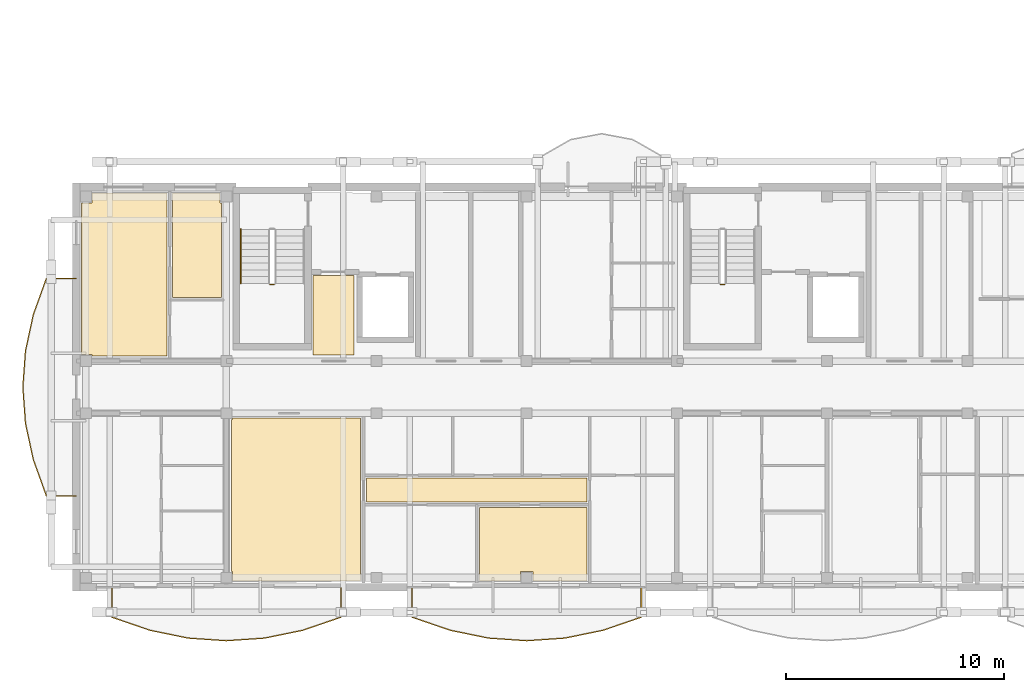
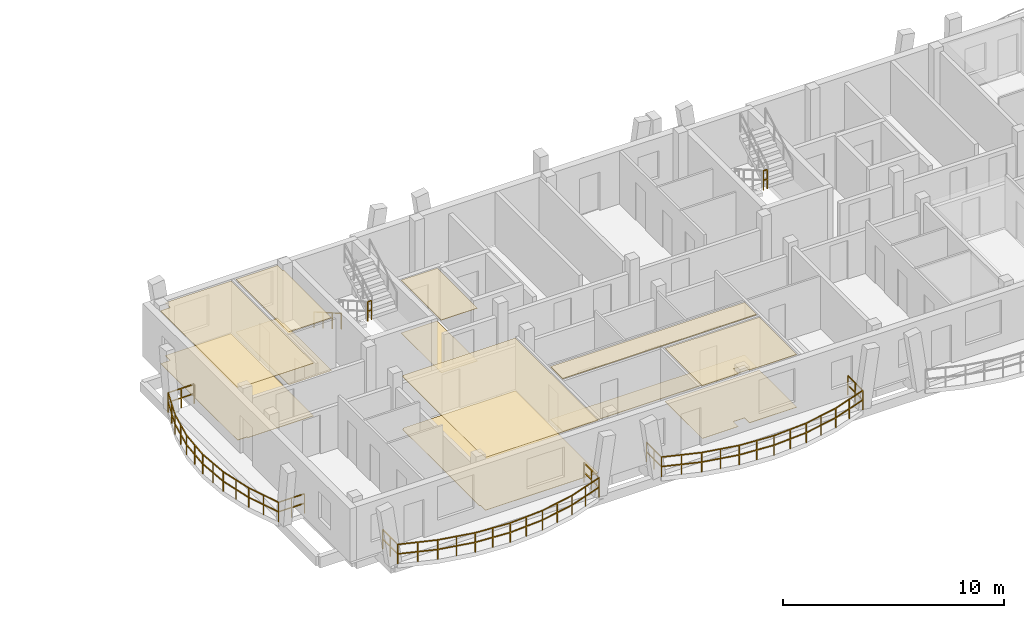
# One storey, part 39 of 52: 12 coverings, 6 railings.
"""IFC4 building model written with IfcOpenShell, lengths in metres."""

from ifc_helpers import new_model, si_unit, direction, frame, origin, origin_2d, place, context, subcontext, project, spatial, polyline, rectangle, outline, extrude, material, layer, layer_set, type_object, element, save


model = new_model("IFC4")

# Units and contexts
model_context = context("Model", 3, precision=1e-05, world=origin(), true_north=direction((0.0, 1.0)))
body_context = subcontext(model_context, "Body", "Model", "MODEL_VIEW")
ifc_project = project(units=[si_unit("LENGTHUNIT", "METRE"), si_unit("AREAUNIT", "SQUARE_METRE"), si_unit("VOLUMEUNIT", "CUBIC_METRE"), si_unit("PLANEANGLEUNIT", "RADIAN"), si_unit("MASSUNIT", "GRAM", prefix="KILO")], contexts=[model_context])

# Site, building, storey
site_placement = place(None, origin())
site = spatial("IfcSite", under=ifc_project, at=site_placement, CompositionType="ELEMENT")
building_placement = place(site_placement, origin())
building = spatial("IfcBuilding", under=site, at=building_placement, Name="Zavelmont Quarter", CompositionType="ELEMENT")
storey_placement = place(building_placement, frame((0.0, 0.0, 14.39990234375)))
storey = spatial("IfcBuildingStorey", under=building, at=storey_placement, Name="L04", CompositionType="ELEMENT", Elevation=14.39990234375)

# Coverings
ifc_material_1 = material(Name="Perforated acoustic gypsum board")
ifc_layer_1 = layer(ifc_material_1, 0.02490234375)
ifc_layer_set_1 = layer_set([ifc_layer_1], Name="Perforated acoustic gypsum board")
covering_type_1 = type_object("IfcCoveringType", Name="CV-CL01", PredefinedType="CEILING", material=ifc_layer_set_1)
covering_1_placement = place(storey_placement, frame((0.0, 0.0, 2.9150390625)))
element("IfcCovering", 1, at=covering_1_placement, inside=storey, type_object=covering_type_1, Name="L04 Lobby Vestibule acoustic ceiling", PredefinedType="CEILING", context=body_context, shape_type="SweptSolid", body=[
    extrude(outline(polyline([(10.8798828125, 14.320068359375), (12.77001953125, 14.320068359375), (12.77001953125, 10.679931640625), (10.8798828125, 10.679931640625), (10.8798828125, 14.320068359375)])), origin(), (0.0, 0.0, 1.0), 0.025146484375),
])
covering_2_placement = place(storey_placement, frame((0.0, 0.0, 2.9150390625)))
element("IfcCovering", 2, at=covering_2_placement, inside=storey, type_object=covering_type_1, Name="L04 Living Dining acoustic ceiling", PredefinedType="CEILING", context=body_context, shape_type="SweptSolid", body=[
    extrude(outline(polyline([(7.1298828125, 7.7099609375), (7.18994140625, 7.7099609375), (7.18994140625, 7.77001953125), (13.070068359375, 7.77001953125), (13.070068359375, 0.280029296875), (7.18994140625, 0.280029296875), (7.18994140625, 0.72998046875), (7.1298828125, 0.72998046875), (7.1298828125, 7.7099609375)])), origin(), (0.0, 0.0, 1.0), 0.025146484375),
])
covering_3_placement = place(storey_placement, frame((0.0, 0.0, 2.9150390625)))
element("IfcCovering", 3, at=covering_3_placement, inside=storey, type_object=covering_type_1, Name="L04 Double Bedroom acoustic ceiling", PredefinedType="CEILING", context=body_context, shape_type="SweptSolid", body=[
    extrude(outline(polyline([(18.530029296875, 3.669921875), (23.469970703125, 3.669921875), (23.469970703125, 0.280029296875), (20.989990234375, 0.280029296875), (20.989990234375, 0.72998046875), (20.409912109375, 0.72998046875), (20.409912109375, 0.280029296875), (18.530029296875, 0.280029296875), (18.530029296875, 3.669921875)])), origin(), (0.0, 0.0, 1.0), 0.025146484375),
])
covering_4_placement = place(storey_placement, frame((0.0, 0.0, 2.9150390625)))
element("IfcCovering", 4, at=covering_4_placement, inside=storey, type_object=covering_type_1, Name="L04 Residents Study Lounge acoustic ceiling", PredefinedType="CEILING", context=body_context, shape_type="SweptSolid", body=[
    extrude(outline(polyline([(0.22998046875, 17.669921875), (0.72998046875, 17.669921875), (0.72998046875, 18.1201171875), (4.169921875, 18.1201171875), (4.169921875, 10.6298828125), (0.72998046875, 10.6298828125), (0.72998046875, 10.68994140625), (0.22998046875, 10.68994140625), (0.22998046875, 17.669921875)])), origin(), (0.0, 0.0, 1.0), 0.025146484375),
])
covering_5_placement = place(storey_placement, frame((0.0, 0.0, 2.9150390625)))
element("IfcCovering", 5, at=covering_5_placement, inside=storey, type_object=covering_type_1, Name="L04 Reading Alcove acoustic ceiling", PredefinedType="CEILING", context=body_context, shape_type="SweptSolid", body=[
    extrude(outline(polyline([(4.429931640625, 18.1201171875), (6.610107421875, 18.1201171875), (6.610107421875, 17.669921875), (6.669921875, 17.669921875), (6.669921875, 13.330078125), (4.429931640625, 13.330078125), (4.429931640625, 18.1201171875)])), origin(), (0.0, 0.0, 1.0), 0.025146484375),
])
ifc_material_2 = material(Name="Slatted European ash acoustic baffle ceiling")
ifc_layer_2 = layer(ifc_material_2, 0.0400390625)
ifc_layer_set_2 = layer_set([ifc_layer_2], Name="Slatted European ash acoustic baffle ceiling")
covering_type_2 = type_object("IfcCoveringType", Name="CV-CL02", PredefinedType="CEILING", material=ifc_layer_set_2)
covering_6_placement = place(storey_placement, frame((0.0, 0.0, 2.900146484375)))
element("IfcCovering", 6, at=covering_6_placement, inside=storey, type_object=covering_type_2, Name="L04 Apartment Hall acoustic ceiling", PredefinedType="CEILING", context=body_context, shape_type="SweptSolid", body=[
    extrude(outline(polyline([(13.330078125, 5.02001953125), (23.469970703125, 5.02001953125), (23.469970703125, 3.929931640625), (13.330078125, 3.929931640625), (13.330078125, 5.02001953125)])), origin(), (0.0, 0.0, 1.0), 0.0400390625),
])
ifc_material_3 = material(Name="Engineered European oak parquet")
ifc_layer_3 = layer(ifc_material_3, 0.02197265625)
ifc_layer_set_3 = layer_set([ifc_layer_3], Name="Engineered European oak parquet")
covering_type_3 = type_object("IfcCoveringType", Name="CV-FL01", PredefinedType="FLOORING", material=ifc_layer_set_3)
covering_7_placement = place(storey_placement, origin())
element("IfcCovering", 7, at=covering_7_placement, inside=storey, type_object=covering_type_3, Name="L04 Lobby Vestibule floor finish", PredefinedType="FLOORING", context=body_context, shape_type="SweptSolid", body=[
    extrude(outline(polyline([(10.8798828125, 14.320068359375), (12.77001953125, 14.320068359375), (12.77001953125, 10.679931640625), (10.8798828125, 10.679931640625), (10.8798828125, 14.320068359375)])), origin(), (0.0, 0.0, 1.0), 0.022216796875),
])
covering_8_placement = place(storey_placement, origin())
element("IfcCovering", 8, at=covering_8_placement, inside=storey, type_object=covering_type_3, Name="L04 Living Dining floor finish", PredefinedType="FLOORING", context=body_context, shape_type="SweptSolid", body=[
    extrude(outline(polyline([(7.1298828125, 7.7099609375), (7.18994140625, 7.7099609375), (7.18994140625, 7.77001953125), (13.070068359375, 7.77001953125), (13.070068359375, 0.280029296875), (7.18994140625, 0.280029296875), (7.18994140625, 0.72998046875), (7.1298828125, 0.72998046875), (7.1298828125, 7.7099609375)])), origin(), (0.0, 0.0, 1.0), 0.022216796875),
])
covering_9_placement = place(storey_placement, origin())
element("IfcCovering", 9, at=covering_9_placement, inside=storey, type_object=covering_type_3, Name="L04 Double Bedroom floor finish", PredefinedType="FLOORING", context=body_context, shape_type="SweptSolid", body=[
    extrude(outline(polyline([(18.530029296875, 3.669921875), (23.469970703125, 3.669921875), (23.469970703125, 0.280029296875), (20.989990234375, 0.280029296875), (20.989990234375, 0.72998046875), (20.409912109375, 0.72998046875), (20.409912109375, 0.280029296875), (18.530029296875, 0.280029296875), (18.530029296875, 3.669921875)])), origin(), (0.0, 0.0, 1.0), 0.022216796875),
])
covering_10_placement = place(storey_placement, origin())
element("IfcCovering", 10, at=covering_10_placement, inside=storey, type_object=covering_type_3, Name="L04 Residents Study Lounge floor finish", PredefinedType="FLOORING", context=body_context, shape_type="SweptSolid", body=[
    extrude(outline(polyline([(0.22998046875, 17.669921875), (0.72998046875, 17.669921875), (0.72998046875, 18.1201171875), (4.169921875, 18.1201171875), (4.169921875, 10.6298828125), (0.72998046875, 10.6298828125), (0.72998046875, 10.68994140625), (0.22998046875, 10.68994140625), (0.22998046875, 17.669921875)])), origin(), (0.0, 0.0, 1.0), 0.022216796875),
])
covering_11_placement = place(storey_placement, origin())
element("IfcCovering", 11, at=covering_11_placement, inside=storey, type_object=covering_type_3, Name="L04 Reading Alcove floor finish", PredefinedType="FLOORING", context=body_context, shape_type="SweptSolid", body=[
    extrude(outline(polyline([(4.429931640625, 18.1201171875), (6.610107421875, 18.1201171875), (6.610107421875, 17.669921875), (6.669921875, 17.669921875), (6.669921875, 13.330078125), (4.429931640625, 13.330078125), (4.429931640625, 18.1201171875)])), origin(), (0.0, 0.0, 1.0), 0.022216796875),
])
ifc_material_4 = material(Name="Honed Belgian bluestone tile", Category="masonry")
ifc_layer_4 = layer(ifc_material_4, 0.030029296875)
ifc_layer_set_4 = layer_set([ifc_layer_4], Name="Honed Belgian bluestone tile")
covering_type_4 = type_object("IfcCoveringType", Name="CV-FL02", PredefinedType="FLOORING", material=ifc_layer_set_4)
covering_12_placement = place(storey_placement, origin())
element("IfcCovering", 12, at=covering_12_placement, inside=storey, type_object=covering_type_4, Name="L04 Apartment Hall floor finish", PredefinedType="FLOORING", context=body_context, shape_type="SweptSolid", body=[
    extrude(outline(polyline([(13.330078125, 5.02001953125), (23.469970703125, 5.02001953125), (23.469970703125, 3.929931640625), (13.330078125, 3.929931640625), (13.330078125, 5.02001953125)])), origin(), (0.0, 0.0, 1.0), 0.030029296875),
])

# Railings
ifc_material_5 = material(Name="Powder-coated steel and tempered double safety glass", Category="steel")
railing_type_1 = type_object("IfcRailingType", Name="RL-BAL1", PredefinedType="BALUSTRADE", material=ifc_material_5)
railing_1_placement = place(storey_placement, frame((1.634765625, -0.02001953125, 0.0)))
element("IfcRailing", 13, at=railing_1_placement, inside=storey, type_object=railing_type_1, Name="L04 Block A curved balcony guard RL-BAL1", PredefinedType="BALUSTRADE", context=body_context, shape_type="SweptSolid", body=[
    extrude(rectangle(XDim=0.048095703125, YDim=0.048095703125, at=origin_2d()), frame((0.0, 0.0, 1.076171875), z_axis=(0.0, -1.0, 0.0), x_axis=(1.0, 0.0, 0.0)), (0.0, 0.0, 1.0), 1.35595703125),
    extrude(rectangle(XDim=0.048095703125, YDim=0.048095703125, at=origin_2d()), frame((0.0, 0.0, 0.550048828125), z_axis=(0.0, -1.0, 0.0), x_axis=(1.0, 0.0, 0.0)), (0.0, 0.0, 1.0), 1.35595703125),
    extrude(rectangle(XDim=0.048095703125, YDim=0.048095703125, at=origin_2d()), frame((0.0, -1.35595703125, 1.076171875), z_axis=(0.946139585989, -0.323758990337, 0.0), x_axis=(0.323758990337, 0.946139585989, 0.0)), (0.0, 0.0, 1.0), 1.85498046875),
    extrude(rectangle(XDim=0.048095703125, YDim=0.048095703125, at=origin_2d()), frame((0.0, -1.35595703125, 0.550048828125), z_axis=(0.946139585989, -0.323758990337, 0.0), x_axis=(0.323758990337, 0.946139585989, 0.0)), (0.0, 0.0, 1.0), 1.85498046875),
    extrude(rectangle(XDim=0.048095703125, YDim=0.048095703125, at=origin_2d()), frame((1.755126953125, -1.95654296875, 1.076171875), z_axis=(0.979566922477, -0.201118483458, 0.0), x_axis=(0.201118483458, 0.979566922477, 0.0)), (0.0, 0.0, 1.0), 1.791748046875),
    extrude(rectangle(XDim=0.048095703125, YDim=0.048095703125, at=origin_2d()), frame((1.755126953125, -1.95654296875, 0.550048828125), z_axis=(0.979566922477, -0.201118483458, 0.0), x_axis=(0.201118483458, 0.979566922477, 0.0)), (0.0, 0.0, 1.0), 1.791748046875),
    extrude(rectangle(XDim=0.048095703125, YDim=0.048095703125, at=origin_2d()), frame((3.51025390625, -2.31689453125, 1.076171875), z_axis=(0.997665674995, -0.068287633848, 0.0), x_axis=(0.068287633848, 0.997665674995, 0.0)), (0.0, 0.0, 1.0), 1.759033203125),
    extrude(rectangle(XDim=0.048095703125, YDim=0.048095703125, at=origin_2d()), frame((3.51025390625, -2.31689453125, 0.550048828125), z_axis=(0.997665674995, -0.068287633848, 0.0), x_axis=(0.068287633848, 0.997665674995, 0.0)), (0.0, 0.0, 1.0), 1.759033203125),
    extrude(rectangle(XDim=0.048095703125, YDim=0.048095703125, at=origin_2d()), frame((5.26513671875, -2.43701171875, 1.076171875), z_axis=(0.997666322094, 0.068278179228, 0.0), x_axis=(-0.068278179228, 0.997666322094, 0.0)), (0.0, 0.0, 1.0), 1.75927734375),
    extrude(rectangle(XDim=0.048095703125, YDim=0.048095703125, at=origin_2d()), frame((5.26513671875, -2.43701171875, 0.550048828125), z_axis=(0.997666322094, 0.068278179228, 0.0), x_axis=(-0.068278179228, 0.997666322094, 0.0)), (0.0, 0.0, 1.0), 1.75927734375),
    extrude(rectangle(XDim=0.048095703125, YDim=0.048095703125, at=origin_2d()), frame((7.020263671875, -2.31689453125, 1.076171875), z_axis=(0.979566922477, 0.201118483458, 0.0), x_axis=(-0.201118483458, 0.979566922477, 0.0)), (0.0, 0.0, 1.0), 1.791748046875),
    extrude(rectangle(XDim=0.048095703125, YDim=0.048095703125, at=origin_2d()), frame((7.020263671875, -2.31689453125, 0.550048828125), z_axis=(0.979566922477, 0.201118483458, 0.0), x_axis=(-0.201118483458, 0.979566922477, 0.0)), (0.0, 0.0, 1.0), 1.791748046875),
    extrude(rectangle(XDim=0.048095703125, YDim=0.048095703125, at=origin_2d()), frame((8.775390625, -1.95654296875, 1.076171875), z_axis=(0.946139585989, 0.323758990337, 0.0), x_axis=(-0.323758990337, 0.946139585989, 0.0)), (0.0, 0.0, 1.0), 1.85498046875),
    extrude(rectangle(XDim=0.048095703125, YDim=0.048095703125, at=origin_2d()), frame((8.775390625, -1.95654296875, 0.550048828125), z_axis=(0.946139585989, 0.323758990337, 0.0), x_axis=(-0.323758990337, 0.946139585989, 0.0)), (0.0, 0.0, 1.0), 1.85498046875),
    extrude(rectangle(XDim=0.048095703125, YDim=0.048095703125, at=origin_2d()), frame((10.530517578125, -1.35595703125, 1.076171875), z_axis=(0.0, 1.0, 0.0), x_axis=(-1.0, 0.0, 0.0)), (0.0, 0.0, 1.0), 1.35595703125),
    extrude(rectangle(XDim=0.048095703125, YDim=0.048095703125, at=origin_2d()), frame((10.530517578125, -1.35595703125, 0.550048828125), z_axis=(0.0, 1.0, 0.0), x_axis=(-1.0, 0.0, 0.0)), (0.0, 0.0, 1.0), 1.35595703125),
    extrude(rectangle(XDim=0.0419921875, YDim=0.0419921875, at=origin_2d()), origin(), (0.0, 0.0, 1.0), 1.052001953125),
    extrude(rectangle(XDim=0.0419921875, YDim=0.0419921875, at=origin_2d()), frame((0.0, -0.677978515625, 0.0)), (0.0, 0.0, 1.0), 1.052001953125),
    extrude(rectangle(XDim=0.0419921875, YDim=0.0419921875, at=origin_2d()), frame((0.0, -1.35595703125, 0.0)), (0.0, 0.0, 1.0), 1.052001953125),
    extrude(rectangle(XDim=0.0419921875, YDim=0.0419921875, at=origin_2d()), frame((0.87744140625, -1.65625, 0.0)), (0.0, 0.0, 1.0), 1.052001953125),
    extrude(rectangle(XDim=0.0419921875, YDim=0.0419921875, at=origin_2d()), frame((1.755126953125, -1.95654296875, 0.0)), (0.0, 0.0, 1.0), 1.052001953125),
    extrude(rectangle(XDim=0.0419921875, YDim=0.0419921875, at=origin_2d()), frame((2.6328125, -2.13671875, 0.0)), (0.0, 0.0, 1.0), 1.052001953125),
    extrude(rectangle(XDim=0.0419921875, YDim=0.0419921875, at=origin_2d()), frame((3.51025390625, -2.31689453125, 0.0)), (0.0, 0.0, 1.0), 1.052001953125),
    extrude(rectangle(XDim=0.0419921875, YDim=0.0419921875, at=origin_2d()), frame((4.3876953125, -2.376953125, 0.0)), (0.0, 0.0, 1.0), 1.052001953125),
    extrude(rectangle(XDim=0.0419921875, YDim=0.0419921875, at=origin_2d()), frame((5.26513671875, -2.43701171875, 0.0)), (0.0, 0.0, 1.0), 1.052001953125),
    extrude(rectangle(XDim=0.0419921875, YDim=0.0419921875, at=origin_2d()), frame((6.142578125, -2.376953125, 0.0)), (0.0, 0.0, 1.0), 1.052001953125),
    extrude(rectangle(XDim=0.0419921875, YDim=0.0419921875, at=origin_2d()), frame((7.020263671875, -2.31689453125, 0.0)), (0.0, 0.0, 1.0), 1.052001953125),
    extrude(rectangle(XDim=0.0419921875, YDim=0.0419921875, at=origin_2d()), frame((7.89794921875, -2.13671875, 0.0)), (0.0, 0.0, 1.0), 1.052001953125),
    extrude(rectangle(XDim=0.0419921875, YDim=0.0419921875, at=origin_2d()), frame((8.775390625, -1.95654296875, 0.0)), (0.0, 0.0, 1.0), 1.052001953125),
    extrude(rectangle(XDim=0.0419921875, YDim=0.0419921875, at=origin_2d()), frame((9.65283203125, -1.65625, 0.0)), (0.0, 0.0, 1.0), 1.052001953125),
    extrude(rectangle(XDim=0.0419921875, YDim=0.0419921875, at=origin_2d()), frame((10.530517578125, -1.35595703125, 0.0)), (0.0, 0.0, 1.0), 1.052001953125),
    extrude(rectangle(XDim=0.0419921875, YDim=0.0419921875, at=origin_2d()), frame((10.530517578125, -0.677978515625, 0.0)), (0.0, 0.0, 1.0), 1.052001953125),
    extrude(rectangle(XDim=0.0419921875, YDim=0.0419921875, at=origin_2d()), frame((10.530517578125, 0.0, 0.0)), (0.0, 0.0, 1.0), 1.052001953125),
])
railing_2_placement = place(storey_placement, frame((15.434814453125, -0.02001953125, 0.0)))
element("IfcRailing", 14, at=railing_2_placement, inside=storey, type_object=railing_type_1, Name="L04 Block A curved balcony guard RL-BAL1", PredefinedType="BALUSTRADE", context=body_context, shape_type="SweptSolid", body=[
    extrude(rectangle(XDim=0.048095703125, YDim=0.048095703125, at=origin_2d()), frame((0.0, 0.0, 1.076171875), z_axis=(0.0, -1.0, 0.0), x_axis=(1.0, 0.0, 0.0)), (0.0, 0.0, 1.0), 1.35595703125),
    extrude(rectangle(XDim=0.048095703125, YDim=0.048095703125, at=origin_2d()), frame((0.0, 0.0, 0.550048828125), z_axis=(0.0, -1.0, 0.0), x_axis=(1.0, 0.0, 0.0)), (0.0, 0.0, 1.0), 1.35595703125),
    extrude(rectangle(XDim=0.048095703125, YDim=0.048095703125, at=origin_2d()), frame((0.0, -1.35595703125, 1.076171875), z_axis=(0.946139585989, -0.323758990337, 0.0), x_axis=(0.323758990337, 0.946139585989, 0.0)), (0.0, 0.0, 1.0), 1.85498046875),
    extrude(rectangle(XDim=0.048095703125, YDim=0.048095703125, at=origin_2d()), frame((0.0, -1.35595703125, 0.550048828125), z_axis=(0.946139585989, -0.323758990337, 0.0), x_axis=(0.323758990337, 0.946139585989, 0.0)), (0.0, 0.0, 1.0), 1.85498046875),
    extrude(rectangle(XDim=0.048095703125, YDim=0.048095703125, at=origin_2d()), frame((1.755126953125, -1.95654296875, 1.076171875), z_axis=(0.979561409876, -0.201145331243, 0.0), x_axis=(0.201145331243, 0.979561409876, 0.0)), (0.0, 0.0, 1.0), 1.79150390625),
    extrude(rectangle(XDim=0.048095703125, YDim=0.048095703125, at=origin_2d()), frame((1.755126953125, -1.95654296875, 0.550048828125), z_axis=(0.979561409876, -0.201145331243, 0.0), x_axis=(0.201145331243, 0.979561409876, 0.0)), (0.0, 0.0, 1.0), 1.79150390625),
    extrude(rectangle(XDim=0.048095703125, YDim=0.048095703125, at=origin_2d()), frame((3.510009765625, -2.31689453125, 1.076171875), z_axis=(0.997666322094, -0.068278179228, 0.0), x_axis=(0.068278179228, 0.997666322094, 0.0)), (0.0, 0.0, 1.0), 1.75927734375),
    extrude(rectangle(XDim=0.048095703125, YDim=0.048095703125, at=origin_2d()), frame((3.510009765625, -2.31689453125, 0.550048828125), z_axis=(0.997666322094, -0.068278179228, 0.0), x_axis=(0.068278179228, 0.997666322094, 0.0)), (0.0, 0.0, 1.0), 1.75927734375),
    extrude(rectangle(XDim=0.048095703125, YDim=0.048095703125, at=origin_2d()), frame((5.26513671875, -2.43701171875, 1.076171875), z_axis=(0.997666322094, 0.068278179228, 0.0), x_axis=(-0.068278179228, 0.997666322094, 0.0)), (0.0, 0.0, 1.0), 1.75927734375),
    extrude(rectangle(XDim=0.048095703125, YDim=0.048095703125, at=origin_2d()), frame((5.26513671875, -2.43701171875, 0.550048828125), z_axis=(0.997666322094, 0.068278179228, 0.0), x_axis=(-0.068278179228, 0.997666322094, 0.0)), (0.0, 0.0, 1.0), 1.75927734375),
    extrude(rectangle(XDim=0.048095703125, YDim=0.048095703125, at=origin_2d()), frame((7.020263671875, -2.31689453125, 1.076171875), z_axis=(0.979566922477, 0.201118483458, 0.0), x_axis=(-0.201118483458, 0.979566922477, 0.0)), (0.0, 0.0, 1.0), 1.791748046875),
    extrude(rectangle(XDim=0.048095703125, YDim=0.048095703125, at=origin_2d()), frame((7.020263671875, -2.31689453125, 0.550048828125), z_axis=(0.979566922477, 0.201118483458, 0.0), x_axis=(-0.201118483458, 0.979566922477, 0.0)), (0.0, 0.0, 1.0), 1.791748046875),
    extrude(rectangle(XDim=0.048095703125, YDim=0.048095703125, at=origin_2d()), frame((8.775390625, -1.95654296875, 1.076171875), z_axis=(0.946125788136, 0.323799309796, 0.0), x_axis=(-0.323799309796, 0.946125788136, 0.0)), (0.0, 0.0, 1.0), 1.854736328125),
    extrude(rectangle(XDim=0.048095703125, YDim=0.048095703125, at=origin_2d()), frame((8.775390625, -1.95654296875, 0.550048828125), z_axis=(0.946125788136, 0.323799309796, 0.0), x_axis=(-0.323799309796, 0.946125788136, 0.0)), (0.0, 0.0, 1.0), 1.854736328125),
    extrude(rectangle(XDim=0.048095703125, YDim=0.048095703125, at=origin_2d()), frame((10.5302734375, -1.35595703125, 1.076171875), z_axis=(0.0, 1.0, 0.0), x_axis=(-1.0, 0.0, 0.0)), (0.0, 0.0, 1.0), 1.35595703125),
    extrude(rectangle(XDim=0.048095703125, YDim=0.048095703125, at=origin_2d()), frame((10.5302734375, -1.35595703125, 0.550048828125), z_axis=(0.0, 1.0, 0.0), x_axis=(-1.0, 0.0, 0.0)), (0.0, 0.0, 1.0), 1.35595703125),
    extrude(rectangle(XDim=0.0419921875, YDim=0.0419921875, at=origin_2d()), origin(), (0.0, 0.0, 1.0), 1.052001953125),
    extrude(rectangle(XDim=0.0419921875, YDim=0.0419921875, at=origin_2d()), frame((0.0, -0.677978515625, 0.0)), (0.0, 0.0, 1.0), 1.052001953125),
    extrude(rectangle(XDim=0.0419921875, YDim=0.0419921875, at=origin_2d()), frame((0.0, -1.35595703125, 0.0)), (0.0, 0.0, 1.0), 1.052001953125),
    extrude(rectangle(XDim=0.0419921875, YDim=0.0419921875, at=origin_2d()), frame((0.87744140625, -1.65625, 0.0)), (0.0, 0.0, 1.0), 1.052001953125),
    extrude(rectangle(XDim=0.0419921875, YDim=0.0419921875, at=origin_2d()), frame((1.755126953125, -1.95654296875, 0.0)), (0.0, 0.0, 1.0), 1.052001953125),
    extrude(rectangle(XDim=0.0419921875, YDim=0.0419921875, at=origin_2d()), frame((2.632568359375, -2.13671875, 0.0)), (0.0, 0.0, 1.0), 1.052001953125),
    extrude(rectangle(XDim=0.0419921875, YDim=0.0419921875, at=origin_2d()), frame((3.510009765625, -2.31689453125, 0.0)), (0.0, 0.0, 1.0), 1.052001953125),
    extrude(rectangle(XDim=0.0419921875, YDim=0.0419921875, at=origin_2d()), frame((4.3876953125, -2.376953125, 0.0)), (0.0, 0.0, 1.0), 1.052001953125),
    extrude(rectangle(XDim=0.0419921875, YDim=0.0419921875, at=origin_2d()), frame((5.26513671875, -2.43701171875, 0.0)), (0.0, 0.0, 1.0), 1.052001953125),
    extrude(rectangle(XDim=0.0419921875, YDim=0.0419921875, at=origin_2d()), frame((6.142578125, -2.376953125, 0.0)), (0.0, 0.0, 1.0), 1.052001953125),
    extrude(rectangle(XDim=0.0419921875, YDim=0.0419921875, at=origin_2d()), frame((7.020263671875, -2.31689453125, 0.0)), (0.0, 0.0, 1.0), 1.052001953125),
    extrude(rectangle(XDim=0.0419921875, YDim=0.0419921875, at=origin_2d()), frame((7.89794921875, -2.13671875, 0.0)), (0.0, 0.0, 1.0), 1.052001953125),
    extrude(rectangle(XDim=0.0419921875, YDim=0.0419921875, at=origin_2d()), frame((8.775390625, -1.95654296875, 0.0)), (0.0, 0.0, 1.0), 1.052001953125),
    extrude(rectangle(XDim=0.0419921875, YDim=0.0419921875, at=origin_2d()), frame((9.65283203125, -1.65625, 0.0)), (0.0, 0.0, 1.0), 1.052001953125),
    extrude(rectangle(XDim=0.0419921875, YDim=0.0419921875, at=origin_2d()), frame((10.5302734375, -1.35595703125, 0.0)), (0.0, 0.0, 1.0), 1.052001953125),
    extrude(rectangle(XDim=0.0419921875, YDim=0.0419921875, at=origin_2d()), frame((10.5302734375, -0.677978515625, 0.0)), (0.0, 0.0, 1.0), 1.052001953125),
    extrude(rectangle(XDim=0.0419921875, YDim=0.0419921875, at=origin_2d()), frame((10.5302734375, 0.0, 0.0)), (0.0, 0.0, 1.0), 1.052001953125),
])
railing_3_placement = place(storey_placement, frame((-0.02001953125, 14.197509765625, 0.0)))
element("IfcRailing", 15, at=railing_3_placement, inside=storey, type_object=railing_type_1, Name="L04 Block A curved balcony guard RL-BAL1", PredefinedType="BALUSTRADE", context=body_context, shape_type="SweptSolid", body=[
    extrude(rectangle(XDim=0.048095703125, YDim=0.048095703125, at=origin_2d()), frame((0.0, 0.0, 1.076171875), z_axis=(-1.0, 0.0, 0.0), x_axis=(0.0, -1.0, 0.0)), (0.0, 0.0, 1.0), 1.35595703125),
    extrude(rectangle(XDim=0.048095703125, YDim=0.048095703125, at=origin_2d()), frame((0.0, 0.0, 0.550048828125), z_axis=(-1.0, 0.0, 0.0), x_axis=(0.0, -1.0, 0.0)), (0.0, 0.0, 1.0), 1.35595703125),
    extrude(rectangle(XDim=0.048095703125, YDim=0.048095703125, at=origin_2d()), frame((-1.35595703125, 0.0, 1.076171875), z_axis=(-0.339129493877, -0.940739701715, 0.0), x_axis=(0.940739701715, -0.339129493877, 0.0)), (0.0, 0.0, 1.0), 1.77099609375),
    extrude(rectangle(XDim=0.048095703125, YDim=0.048095703125, at=origin_2d()), frame((-1.35595703125, 0.0, 0.550048828125), z_axis=(-0.339129493877, -0.940739701715, 0.0), x_axis=(0.940739701715, -0.339129493877, 0.0)), (0.0, 0.0, 1.0), 1.77099609375),
    extrude(rectangle(XDim=0.048095703125, YDim=0.048095703125, at=origin_2d()), frame((-1.95654296875, -1.666015625, 1.076171875), z_axis=(-0.211436354877, -0.977391767837, 0.0), x_axis=(0.977391767837, -0.211436354877, 0.0)), (0.0, 0.0, 1.0), 1.704345703125),
    extrude(rectangle(XDim=0.048095703125, YDim=0.048095703125, at=origin_2d()), frame((-1.95654296875, -1.666015625, 0.550048828125), z_axis=(-0.211436354877, -0.977391767837, 0.0), x_axis=(0.977391767837, -0.211436354877, 0.0)), (0.0, 0.0, 1.0), 1.704345703125),
    extrude(rectangle(XDim=0.048095703125, YDim=0.048095703125, at=origin_2d()), frame((-2.31689453125, -3.331787109375, 1.076171875), z_axis=(-0.071922297692, -0.997410238114, 0.0), x_axis=(0.997410238114, -0.071922297692, 0.0)), (0.0, 0.0, 1.0), 1.670166015625),
    extrude(rectangle(XDim=0.048095703125, YDim=0.048095703125, at=origin_2d()), frame((-2.31689453125, -3.331787109375, 0.550048828125), z_axis=(-0.071922297692, -0.997410238114, 0.0), x_axis=(0.997410238114, -0.071922297692, 0.0)), (0.0, 0.0, 1.0), 1.670166015625),
    extrude(rectangle(XDim=0.048095703125, YDim=0.048095703125, at=origin_2d()), frame((-2.43701171875, -4.99755859375, 1.076171875), z_axis=(0.071922297692, -0.997410238114, 0.0), x_axis=(0.997410238114, 0.071922297692, 0.0)), (0.0, 0.0, 1.0), 1.670166015625),
    extrude(rectangle(XDim=0.048095703125, YDim=0.048095703125, at=origin_2d()), frame((-2.43701171875, -4.99755859375, 0.550048828125), z_axis=(0.071922297692, -0.997410238114, 0.0), x_axis=(0.997410238114, 0.071922297692, 0.0)), (0.0, 0.0, 1.0), 1.670166015625),
    extrude(rectangle(XDim=0.048095703125, YDim=0.048095703125, at=origin_2d()), frame((-2.31689453125, -6.663330078125, 1.076171875), z_axis=(0.211436354877, -0.977391767837, 0.0), x_axis=(0.977391767837, 0.211436354877, 0.0)), (0.0, 0.0, 1.0), 1.704345703125),
    extrude(rectangle(XDim=0.048095703125, YDim=0.048095703125, at=origin_2d()), frame((-2.31689453125, -6.663330078125, 0.550048828125), z_axis=(0.211436354877, -0.977391767837, 0.0), x_axis=(0.977391767837, 0.211436354877, 0.0)), (0.0, 0.0, 1.0), 1.704345703125),
    extrude(rectangle(XDim=0.048095703125, YDim=0.048095703125, at=origin_2d()), frame((-1.95654296875, -8.3291015625, 1.076171875), z_axis=(0.339173480251, -0.9407238438, 0.0), x_axis=(0.9407238438, 0.339173480251, 0.0)), (0.0, 0.0, 1.0), 1.770751953125),
    extrude(rectangle(XDim=0.048095703125, YDim=0.048095703125, at=origin_2d()), frame((-1.95654296875, -8.3291015625, 0.550048828125), z_axis=(0.339173480251, -0.9407238438, 0.0), x_axis=(0.9407238438, 0.339173480251, 0.0)), (0.0, 0.0, 1.0), 1.770751953125),
    extrude(rectangle(XDim=0.048095703125, YDim=0.048095703125, at=origin_2d()), frame((-1.35595703125, -9.994873046875, 1.076171875), z_axis=(1.0, 0.0, 0.0), x_axis=(0.0, 1.0, 0.0)), (0.0, 0.0, 1.0), 1.35595703125),
    extrude(rectangle(XDim=0.048095703125, YDim=0.048095703125, at=origin_2d()), frame((-1.35595703125, -9.994873046875, 0.550048828125), z_axis=(1.0, 0.0, 0.0), x_axis=(0.0, 1.0, 0.0)), (0.0, 0.0, 1.0), 1.35595703125),
    extrude(rectangle(XDim=0.0419921875, YDim=0.0419921875, at=origin_2d()), origin(), (0.0, 0.0, 1.0), 1.052001953125),
    extrude(rectangle(XDim=0.0419921875, YDim=0.0419921875, at=origin_2d()), frame((-0.677978515625, 0.0, 0.0)), (0.0, 0.0, 1.0), 1.052001953125),
    extrude(rectangle(XDim=0.0419921875, YDim=0.0419921875, at=origin_2d()), frame((-1.35595703125, 0.0, 0.0)), (0.0, 0.0, 1.0), 1.052001953125),
    extrude(rectangle(XDim=0.0419921875, YDim=0.0419921875, at=origin_2d()), frame((-1.65625, -0.8330078125, 0.0)), (0.0, 0.0, 1.0), 1.052001953125),
    extrude(rectangle(XDim=0.0419921875, YDim=0.0419921875, at=origin_2d()), frame((-1.95654296875, -1.666015625, 0.0)), (0.0, 0.0, 1.0), 1.052001953125),
    extrude(rectangle(XDim=0.0419921875, YDim=0.0419921875, at=origin_2d()), frame((-2.13671875, -2.4990234375, 0.0)), (0.0, 0.0, 1.0), 1.052001953125),
    extrude(rectangle(XDim=0.0419921875, YDim=0.0419921875, at=origin_2d()), frame((-2.31689453125, -3.331787109375, 0.0)), (0.0, 0.0, 1.0), 1.052001953125),
    extrude(rectangle(XDim=0.0419921875, YDim=0.0419921875, at=origin_2d()), frame((-2.376953125, -4.16455078125, 0.0)), (0.0, 0.0, 1.0), 1.052001953125),
    extrude(rectangle(XDim=0.0419921875, YDim=0.0419921875, at=origin_2d()), frame((-2.43701171875, -4.99755859375, 0.0)), (0.0, 0.0, 1.0), 1.052001953125),
    extrude(rectangle(XDim=0.0419921875, YDim=0.0419921875, at=origin_2d()), frame((-2.376953125, -5.83056640625, 0.0)), (0.0, 0.0, 1.0), 1.052001953125),
    extrude(rectangle(XDim=0.0419921875, YDim=0.0419921875, at=origin_2d()), frame((-2.31689453125, -6.663330078125, 0.0)), (0.0, 0.0, 1.0), 1.052001953125),
    extrude(rectangle(XDim=0.0419921875, YDim=0.0419921875, at=origin_2d()), frame((-2.13671875, -7.49609375, 0.0)), (0.0, 0.0, 1.0), 1.052001953125),
    extrude(rectangle(XDim=0.0419921875, YDim=0.0419921875, at=origin_2d()), frame((-1.95654296875, -8.3291015625, 0.0)), (0.0, 0.0, 1.0), 1.052001953125),
    extrude(rectangle(XDim=0.0419921875, YDim=0.0419921875, at=origin_2d()), frame((-1.65625, -9.162109375, 0.0)), (0.0, 0.0, 1.0), 1.052001953125),
    extrude(rectangle(XDim=0.0419921875, YDim=0.0419921875, at=origin_2d()), frame((-1.35595703125, -9.994873046875, 0.0)), (0.0, 0.0, 1.0), 1.052001953125),
    extrude(rectangle(XDim=0.0419921875, YDim=0.0419921875, at=origin_2d()), frame((-0.677978515625, -9.994873046875, 0.0)), (0.0, 0.0, 1.0), 1.052001953125),
    extrude(rectangle(XDim=0.0419921875, YDim=0.0419921875, at=origin_2d()), frame((0.0, -9.994873046875, 0.0)), (0.0, 0.0, 1.0), 1.052001953125),
])
ifc_material_6 = material(Name="Powder-coated steel stair guardrail", Category="steel")
railing_type_2 = type_object("IfcRailingType", Name="RL-GRD1", PredefinedType="GUARDRAIL", material=ifc_material_6)
railing_4_placement = place(storey_placement, frame((8.89990234375, 13.919921875, 1.60009765625)))
element("IfcRailing", 16, at=railing_4_placement, inside=storey, type_object=railing_type_2, Name="L04 ST01 stair guardrail 2", PredefinedType="GUARDRAIL", context=body_context, shape_type="SweptSolid", body=[
    extrude(rectangle(XDim=0.048095703125, YDim=0.048095703125, at=origin_2d()), frame((0.0, 0.0, 1.076171875), z_axis=(1.0, 0.0, 0.0), x_axis=(0.0, 1.0, 0.0)), (0.0, 0.0, 1.0), 0.2001953125),
    extrude(rectangle(XDim=0.048095703125, YDim=0.048095703125, at=origin_2d()), frame((0.0, 0.0, 0.550048828125), z_axis=(1.0, 0.0, 0.0), x_axis=(0.0, 1.0, 0.0)), (0.0, 0.0, 1.0), 0.2001953125),
    extrude(rectangle(XDim=0.0419921875, YDim=0.0419921875, at=origin_2d()), origin(), (0.0, 0.0, 1.0), 1.052001953125),
    extrude(rectangle(XDim=0.0419921875, YDim=0.0419921875, at=origin_2d()), frame((0.2001953125, 0.0, 0.0)), (0.0, 0.0, 1.0), 1.052001953125),
])
railing_5_placement = place(storey_placement, frame((29.60009765625, 13.919921875, 1.60009765625)))
element("IfcRailing", 17, at=railing_5_placement, inside=storey, type_object=railing_type_2, Name="L04 ST02 stair guardrail 2", PredefinedType="GUARDRAIL", context=body_context, shape_type="SweptSolid", body=[
    extrude(rectangle(XDim=0.048095703125, YDim=0.048095703125, at=origin_2d()), frame((0.0, 0.0, 1.076171875), z_axis=(1.0, 0.0, 0.0), x_axis=(0.0, 1.0, 0.0)), (0.0, 0.0, 1.0), 0.199951171875),
    extrude(rectangle(XDim=0.048095703125, YDim=0.048095703125, at=origin_2d()), frame((0.0, 0.0, 0.550048828125), z_axis=(1.0, 0.0, 0.0), x_axis=(0.0, 1.0, 0.0)), (0.0, 0.0, 1.0), 0.199951171875),
    extrude(rectangle(XDim=0.0419921875, YDim=0.0419921875, at=origin_2d()), origin(), (0.0, 0.0, 1.0), 1.052001953125),
    extrude(rectangle(XDim=0.0419921875, YDim=0.0419921875, at=origin_2d()), frame((0.199951171875, 0.0, 0.0)), (0.0, 0.0, 1.0), 1.052001953125),
])
ifc_material_7 = material(Name="Brushed stainless-steel wall handrail", Category="steel")
railing_type_3 = type_object("IfcRailingType", Name="RL-HND1", PredefinedType="HANDRAIL", material=ifc_material_7)
railing_6_placement = place(storey_placement, frame((7.550048828125, 16.449951171875, 0.177978515625)))
element("IfcRailing", 18, at=railing_6_placement, inside=storey, type_object=railing_type_3, Name="L04 ST01 stair handrail 1", PredefinedType="HANDRAIL", context=body_context, shape_type="SweptSolid", body=[
    extrude(rectangle(XDim=0.048095703125, YDim=0.048095703125, at=origin_2d()), frame((0.0, 0.0, 0.8759765625), z_axis=(0.0, -0.867490628297, 0.497453525283), x_axis=(1.0, 0.0, 0.0)), (0.0, 0.0, 1.0), 2.85888671875),
    extrude(rectangle(XDim=0.0419921875, YDim=0.0419921875, at=origin_2d()), origin(), (0.0, 0.0, 1.0), 0.851806640625),
    extrude(rectangle(XDim=0.0419921875, YDim=0.0419921875, at=origin_2d()), frame((0.0, -0.82666015625, 0.47412109375)), (0.0, 0.0, 1.0), 0.851806640625),
    extrude(rectangle(XDim=0.0419921875, YDim=0.0419921875, at=origin_2d()), frame((0.0, -1.6533203125, 0.947998046875)), (0.0, 0.0, 1.0), 0.851806640625),
    extrude(rectangle(XDim=0.0419921875, YDim=0.0419921875, at=origin_2d()), frame((0.0, -2.47998046875, 1.422119140625)), (0.0, 0.0, 1.0), 0.851806640625),
])

save(model, "model.ifc")
